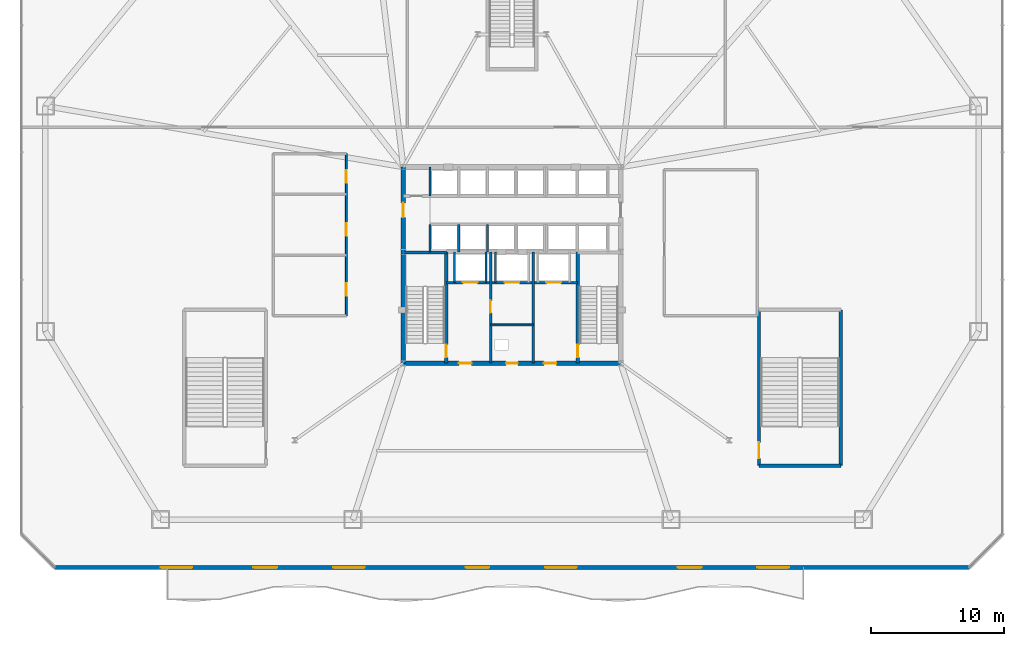
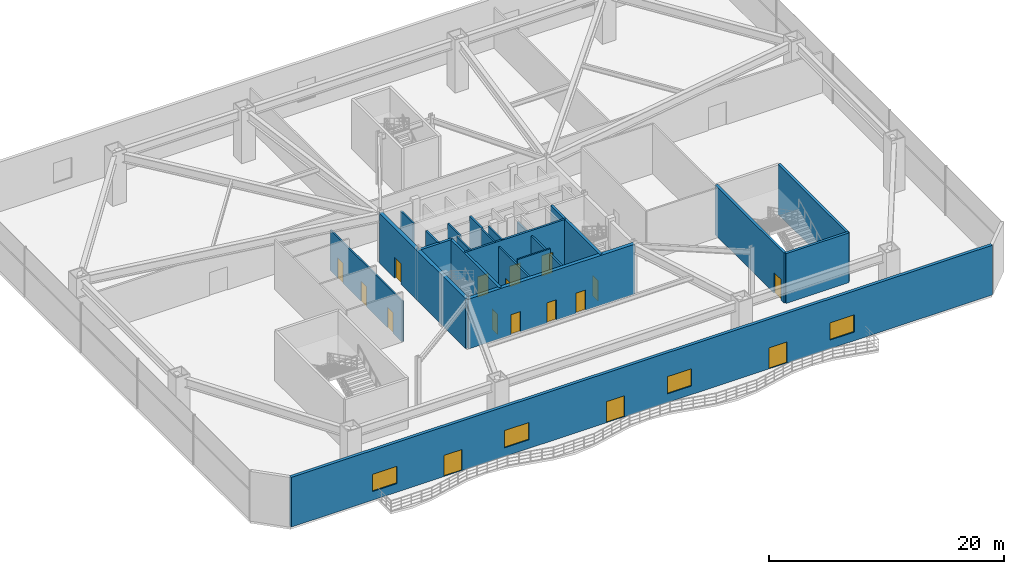
# One storey, part 13 of 20: 21 walls, 17 doors, 4 windows, 21 openings.
"""IFC4 building model written with IfcOpenShell, lengths in metres."""

from ifc_helpers import new_model, si_unit, direction, frame, frame_2d, origin, place, context, subcontext, project, spatial, rectangle, extrude, material, layer, layer_set, type_object, element, fill, save


model = new_model("IFC4")

# Units and contexts
model_context = context("Model", 3, precision=1e-05, world=origin(), true_north=direction((0.0, 1.0)))
body_context = subcontext(model_context, "Body", "Model", "MODEL_VIEW")
ifc_project = project(units=[si_unit("LENGTHUNIT", "METRE"), si_unit("AREAUNIT", "SQUARE_METRE"), si_unit("VOLUMEUNIT", "CUBIC_METRE"), si_unit("PLANEANGLEUNIT", "RADIAN"), si_unit("MASSUNIT", "GRAM", prefix="KILO")], contexts=[model_context])

# Site, building, storey
site_placement = place(None, origin())
site = spatial("IfcSite", under=ifc_project, at=site_placement, CompositionType="ELEMENT")
building_placement = place(site_placement, origin())
building = spatial("IfcBuilding", under=site, at=building_placement, Name="Varakhsha Concourse Tower", CompositionType="ELEMENT")
storey_placement = place(building_placement, frame((0.0, 0.0, 16.5)))
storey = spatial("IfcBuildingStorey", under=building, at=storey_placement, Name="L04", CompositionType="ELEMENT", Elevation=16.5)

# Wall, openings, doors
ifc_material_1 = material(Name="Concrete fc 65 MPa", Category="concrete")
ifc_layer_1 = layer(ifc_material_1, 0.35009765625, Name="WL-CORE-350")
ifc_layer_set_1 = layer_set([ifc_layer_1], Name="Concrete fc 65 MPa")
wall_type_1 = type_object("IfcWallType", Name="WL-CORE-350", PredefinedType="SHEAR", material=ifc_layer_set_1)
wall_1_placement = place(storey_placement, frame((31.800048828125, 16.39990234375, 0.0), z_axis=(0.0, 0.0, 1.0), x_axis=(1.0, 0.0, 0.0)))
wall_1 = element("IfcWall", 1, at=wall_1_placement, inside=storey, type_object=wall_type_1, Name="L04 Wall CWALL-S-L04", PredefinedType="SHEAR", context=body_context, shape_type="SweptSolid", body=[
    extrude(rectangle(XDim=16.39990234375, YDim=0.35009765625, at=frame_2d((8.199951171875, 0.0))), origin(), (0.0, 0.0, 1.0), 5.179931640625),
])
opening_1_placement = place(wall_1_placement, frame((7.75, 0.0, 0.0)))
opening_1 = element("IfcOpeningElement", 2, at=opening_1_placement, cuts=wall_1, Name="Opening DF-06", PredefinedType="OPENING", context=body_context, shape_type="SweptSolid", body=[
    extrude(rectangle(XDim=0.89990234375, YDim=2.10009765625, at=frame_2d((0.449951171875, 1.050048828125))), frame((0.0, 0.18505859375, 0.0), z_axis=(0.0, -1.0, 0.0), x_axis=(1.0, 0.0, 0.0)), (0.0, 0.0, 1.0), 0.3701171875),
])
opening_2_placement = place(wall_1_placement, frame((4.199951171875, 0.0, 0.0)))
opening_2 = element("IfcOpeningElement", 3, at=opening_2_placement, cuts=wall_1, Name="Opening DF-05", PredefinedType="OPENING", context=body_context, shape_type="SweptSolid", body=[
    extrude(rectangle(XDim=0.949951171875, YDim=2.10009765625, at=frame_2d((0.47509765625, 1.050048828125))), frame((0.0, 0.18505859375, 0.0), z_axis=(0.0, -1.0, 0.0), x_axis=(1.0, 0.0, 0.0)), (0.0, 0.0, 1.0), 0.3701171875),
])
opening_3_placement = place(wall_1_placement, frame((10.60009765625, 0.0, 0.0)))
opening_3 = element("IfcOpeningElement", 4, at=opening_3_placement, cuts=wall_1, Name="Opening DF-05", PredefinedType="OPENING", context=body_context, shape_type="SweptSolid", body=[
    extrude(rectangle(XDim=0.949951171875, YDim=2.10009765625, at=frame_2d((0.47509765625, 1.050048828125))), frame((0.0, 0.18505859375, 0.0), z_axis=(0.0, -1.0, 0.0), x_axis=(1.0, 0.0, 0.0)), (0.0, 0.0, 1.0), 0.3701171875),
])
ifc_material_2 = material(Name="Hollow Galvanised Steel Fire Door Assembly", Category="steel")
door_type_1 = type_object("IfcDoorType", Name="DR-FD60-900", OperationType="NOTDEFINED", PredefinedType="DOOR", material=ifc_material_2)
door_1_placement = place(opening_1_placement, origin())
door_1 = element("IfcDoor", 5, at=door_1_placement, inside=storey, type_object=door_type_1, Name="L04 Electrical Riser Access Door", OperationType="SINGLE_SWING_LEFT", OverallHeight=2.10009765625, OverallWidth=0.89990234375, PredefinedType="DOOR", context=body_context, shape_type="SweptSolid", body=[
    extrude(rectangle(XDim=0.89990234375, YDim=2.10009765625, at=frame_2d((0.449951171875, 1.050048828125))), frame((0.0, 0.02490234375, 0.0), z_axis=(0.0, -1.0, 0.0), x_axis=(1.0, 0.0, 0.0)), (0.0, 0.0, 1.0), 0.050048828125),
])
fill(opening_1, door_1)
door_type_2 = type_object("IfcDoorType", Name="DR-FD60-950", OperationType="NOTDEFINED", PredefinedType="DOOR", material=ifc_material_2)
door_2_placement = place(opening_2_placement, origin())
door_2 = element("IfcDoor", 6, at=door_2_placement, inside=storey, type_object=door_type_2, Name="L04 Firefighting Lobby West Door", OperationType="SINGLE_SWING_RIGHT", OverallHeight=2.10009765625, OverallWidth=0.949951171875, PredefinedType="DOOR", context=body_context, shape_type="SweptSolid", body=[
    extrude(rectangle(XDim=0.949951171875, YDim=2.10009765625, at=frame_2d((0.47509765625, 1.050048828125))), frame((0.0, 0.02490234375, 0.0), z_axis=(0.0, -1.0, 0.0), x_axis=(1.0, 0.0, 0.0)), (0.0, 0.0, 1.0), 0.050048828125),
])
fill(opening_2, door_2)
door_3_placement = place(opening_3_placement, origin())
door_3 = element("IfcDoor", 7, at=door_3_placement, inside=storey, type_object=door_type_2, Name="L04 Firefighting Lobby East Door", OperationType="SINGLE_SWING_LEFT", OverallHeight=2.10009765625, OverallWidth=0.949951171875, PredefinedType="DOOR", context=body_context, shape_type="SweptSolid", body=[
    extrude(rectangle(XDim=0.949951171875, YDim=2.10009765625, at=frame_2d((0.47509765625, 1.050048828125))), frame((0.0, 0.02490234375, 0.0), z_axis=(0.0, -1.0, 0.0), x_axis=(1.0, 0.0, 0.0)), (0.0, 0.0, 1.0), 0.050048828125),
])
fill(opening_3, door_3)

# Wall, opening, door
wall_2_placement = place(storey_placement, frame((31.800048828125, 16.39990234375, 0.0), z_axis=(0.0, 0.0, 1.0), x_axis=(0.0, 1.0, 0.0)))
wall_2 = element("IfcWall", 8, at=wall_2_placement, inside=storey, type_object=wall_type_1, Name="L04 Wall CWALL-W-L04", PredefinedType="SHEAR", context=body_context, shape_type="SweptSolid", body=[
    extrude(rectangle(XDim=14.800048828125, YDim=0.35009765625, at=frame_2d((7.39990234375, 0.0))), origin(), (0.0, 0.0, 1.0), 5.179931640625),
])
opening_4_placement = place(wall_2_placement, frame((11.0, 0.0, 0.0)))
opening_4 = element("IfcOpeningElement", 9, at=opening_4_placement, cuts=wall_2, Name="Opening DL-01", PredefinedType="OPENING", context=body_context, shape_type="SweptSolid", body=[
    extrude(rectangle(XDim=1.10009765625, YDim=2.14990234375, at=frame_2d((0.550048828125, 1.074951171875))), frame((0.0, 0.18505859375, 0.0), z_axis=(0.0, -1.0, 0.0), x_axis=(1.0, 0.0, 0.0)), (0.0, 0.0, 1.0), 0.3701171875),
])
ifc_material_3 = material(Name="Anodised Bronze Architectural Aluminium AA 6063-T6", Category="aluminium")
door_type_3 = type_object("IfcDoorType", Name="DR-LOB-1100", OperationType="NOTDEFINED", PredefinedType="DOOR", material=ifc_material_3)
door_4_placement = place(opening_4_placement, origin())
door_4 = element("IfcDoor", 10, at=door_4_placement, inside=storey, type_object=door_type_3, Name="L04 Lift Lobby West Concourse Door", OperationType="SINGLE_SWING_LEFT", OverallHeight=2.14990234375, OverallWidth=1.10009765625, PredefinedType="DOOR", context=body_context, shape_type="SweptSolid", body=[
    extrude(rectangle(XDim=1.10009765625, YDim=2.14990234375, at=frame_2d((0.550048828125, 1.074951171875))), frame((0.0, 0.02490234375, 0.0), z_axis=(0.0, -1.0, 0.0), x_axis=(1.0, 0.0, 0.0)), (0.0, 0.0, 1.0), 0.050048828125),
])
fill(opening_4, door_4)

# Wall, openings, doors, windows
ifc_material_4 = material(Name="Concrete fc 45 MPa", Category="concrete")
ifc_layer_2 = layer(ifc_material_4, 0.300048828125, Name="WL-EXT-POD-300")
ifc_layer_set_2 = layer_set([ifc_layer_2], Name="Concrete fc 45 MPa")
wall_type_2 = type_object("IfcWallType", Name="WL-EXT-POD-300", PredefinedType="STANDARD", material=ifc_layer_set_2)
wall_3_placement = place(storey_placement, frame((5.5, 1.0, 0.0), z_axis=(0.0, 0.0, 1.0), x_axis=(1.0, 0.0, 0.0)))
wall_3 = element("IfcWall", 11, at=wall_3_placement, inside=storey, type_object=wall_type_2, Name="L04 South Wave Terrace Wall", PredefinedType="STANDARD", context=body_context, shape_type="SweptSolid", body=[
    extrude(rectangle(XDim=69.0, YDim=0.300048828125, at=frame_2d((34.5, 0.0))), origin(), (0.0, 0.0, 1.0), 5.179931640625),
])
opening_5_placement = place(wall_3_placement, frame((15.0, 0.0, 0.0)))
opening_5 = element("IfcOpeningElement", 12, at=opening_5_placement, cuts=wall_3, Name="Opening DT-01", PredefinedType="OPENING", context=body_context, shape_type="SweptSolid", body=[
    extrude(rectangle(XDim=1.800048828125, YDim=2.199951171875, at=frame_2d((0.89990234375, 1.10009765625))), frame((0.0, 0.159912109375, 0.0), z_axis=(0.0, -1.0, 0.0), x_axis=(1.0, 0.0, 0.0)), (0.0, 0.0, 1.0), 0.320068359375),
])
opening_6_placement = place(wall_3_placement, frame((31.0, 0.0, 0.0)))
opening_6 = element("IfcOpeningElement", 13, at=opening_6_placement, cuts=wall_3, Name="Opening DT-01", PredefinedType="OPENING", context=body_context, shape_type="SweptSolid", body=[
    extrude(rectangle(XDim=1.800048828125, YDim=2.199951171875, at=frame_2d((0.89990234375, 1.10009765625))), frame((0.0, 0.159912109375, 0.0), z_axis=(0.0, -1.0, 0.0), x_axis=(1.0, 0.0, 0.0)), (0.0, 0.0, 1.0), 0.320068359375),
])
opening_7_placement = place(wall_3_placement, frame((47.0, 0.0, 0.0)))
opening_7 = element("IfcOpeningElement", 14, at=opening_7_placement, cuts=wall_3, Name="Opening DT-01", PredefinedType="OPENING", context=body_context, shape_type="SweptSolid", body=[
    extrude(rectangle(XDim=1.800048828125, YDim=2.199951171875, at=frame_2d((0.89990234375, 1.10009765625))), frame((0.0, 0.159912109375, 0.0), z_axis=(0.0, -1.0, 0.0), x_axis=(1.0, 0.0, 0.0)), (0.0, 0.0, 1.0), 0.320068359375),
])
opening_8_placement = place(wall_3_placement, frame((8.0, 0.0, 0.89990234375)))
opening_8 = element("IfcOpeningElement", 15, at=opening_8_placement, cuts=wall_3, Name="Opening W-02", PredefinedType="OPENING", context=body_context, shape_type="SweptSolid", body=[
    extrude(rectangle(XDim=2.39990234375, YDim=1.800048828125, at=frame_2d((1.199951171875, 0.89990234375))), frame((0.0, 0.159912109375, 0.0), z_axis=(0.0, -1.0, 0.0), x_axis=(1.0, 0.0, 0.0)), (0.0, 0.0, 1.0), 0.320068359375),
])
opening_9_placement = place(wall_3_placement, frame((21.0, 0.0, 0.89990234375)))
opening_9 = element("IfcOpeningElement", 16, at=opening_9_placement, cuts=wall_3, Name="Opening W-02", PredefinedType="OPENING", context=body_context, shape_type="SweptSolid", body=[
    extrude(rectangle(XDim=2.39990234375, YDim=1.800048828125, at=frame_2d((1.199951171875, 0.89990234375))), frame((0.0, 0.159912109375, 0.0), z_axis=(0.0, -1.0, 0.0), x_axis=(1.0, 0.0, 0.0)), (0.0, 0.0, 1.0), 0.320068359375),
])
opening_10_placement = place(wall_3_placement, frame((37.0, 0.0, 0.89990234375)))
opening_10 = element("IfcOpeningElement", 17, at=opening_10_placement, cuts=wall_3, Name="Opening W-02", PredefinedType="OPENING", context=body_context, shape_type="SweptSolid", body=[
    extrude(rectangle(XDim=2.39990234375, YDim=1.800048828125, at=frame_2d((1.199951171875, 0.89990234375))), frame((0.0, 0.159912109375, 0.0), z_axis=(0.0, -1.0, 0.0), x_axis=(1.0, 0.0, 0.0)), (0.0, 0.0, 1.0), 0.320068359375),
])
opening_11_placement = place(wall_3_placement, frame((53.0, 0.0, 0.89990234375)))
opening_11 = element("IfcOpeningElement", 18, at=opening_11_placement, cuts=wall_3, Name="Opening W-02", PredefinedType="OPENING", context=body_context, shape_type="SweptSolid", body=[
    extrude(rectangle(XDim=2.39990234375, YDim=1.800048828125, at=frame_2d((1.199951171875, 0.89990234375))), frame((0.0, 0.159912109375, 0.0), z_axis=(0.0, -1.0, 0.0), x_axis=(1.0, 0.0, 0.0)), (0.0, 0.0, 1.0), 0.320068359375),
])
door_type_4 = type_object("IfcDoorType", Name="DR-TERR-1800", OperationType="DOUBLE_DOOR_SINGLE_SWING", PredefinedType="DOOR", material=ifc_material_3)
door_5_placement = place(opening_5_placement, origin())
door_5 = element("IfcDoor", 19, at=door_5_placement, inside=storey, type_object=door_type_4, Name="L04 Wave Terrace Double Door 1", OperationType="SINGLE_SWING_LEFT", OverallHeight=2.199951171875, OverallWidth=1.800048828125, PredefinedType="DOOR", context=body_context, shape_type="SweptSolid", body=[
    extrude(rectangle(XDim=1.800048828125, YDim=2.199951171875, at=frame_2d((0.89990234375, 1.10009765625))), frame((0.0, 0.02490234375, 0.0), z_axis=(0.0, -1.0, 0.0), x_axis=(1.0, 0.0, 0.0)), (0.0, 0.0, 1.0), 0.050048828125),
])
fill(opening_5, door_5)
door_6_placement = place(opening_6_placement, origin())
door_6 = element("IfcDoor", 20, at=door_6_placement, inside=storey, type_object=door_type_4, Name="L04 Wave Terrace Double Door 2", OperationType="SINGLE_SWING_LEFT", OverallHeight=2.199951171875, OverallWidth=1.800048828125, PredefinedType="DOOR", context=body_context, shape_type="SweptSolid", body=[
    extrude(rectangle(XDim=1.800048828125, YDim=2.199951171875, at=frame_2d((0.89990234375, 1.10009765625))), frame((0.0, 0.02490234375, 0.0), z_axis=(0.0, -1.0, 0.0), x_axis=(1.0, 0.0, 0.0)), (0.0, 0.0, 1.0), 0.050048828125),
])
fill(opening_6, door_6)
door_7_placement = place(opening_7_placement, origin())
door_7 = element("IfcDoor", 21, at=door_7_placement, inside=storey, type_object=door_type_4, Name="L04 Wave Terrace Double Door 3", OperationType="SINGLE_SWING_LEFT", OverallHeight=2.199951171875, OverallWidth=1.800048828125, PredefinedType="DOOR", context=body_context, shape_type="SweptSolid", body=[
    extrude(rectangle(XDim=1.800048828125, YDim=2.199951171875, at=frame_2d((0.89990234375, 1.10009765625))), frame((0.0, 0.02490234375, 0.0), z_axis=(0.0, -1.0, 0.0), x_axis=(1.0, 0.0, 0.0)), (0.0, 0.0, 1.0), 0.050048828125),
])
fill(opening_7, door_7)
ifc_material_5 = material(Name="Low-E Triple Insulating Glass IGU 44 mm", Category="glass")
window_type = type_object("IfcWindowType", Name="WN-RIBBON-2400", PartitioningType="SINGLE_PANEL", PredefinedType="WINDOW", material=ifc_material_5)
window_1_placement = place(opening_8_placement, origin())
window_1 = element("IfcWindow", 22, at=window_1_placement, inside=storey, type_object=window_type, Name="L04 South Foyer Ribbon Window 1", OverallHeight=1.800048828125, OverallWidth=2.39990234375, PartitioningType="SINGLE_PANEL", PredefinedType="WINDOW", context=body_context, shape_type="SweptSolid", body=[
    extrude(rectangle(XDim=2.39990234375, YDim=1.800048828125, at=frame_2d((1.199951171875, 0.89990234375))), frame((0.0, 0.030029296875, 0.0), z_axis=(0.0, -1.0, 0.0), x_axis=(1.0, 0.0, 0.0)), (0.0, 0.0, 1.0), 0.06005859375),
])
fill(opening_8, window_1)
window_2_placement = place(opening_9_placement, origin())
window_2 = element("IfcWindow", 23, at=window_2_placement, inside=storey, type_object=window_type, Name="L04 South Foyer Ribbon Window 2", OverallHeight=1.800048828125, OverallWidth=2.39990234375, PartitioningType="SINGLE_PANEL", PredefinedType="WINDOW", context=body_context, shape_type="SweptSolid", body=[
    extrude(rectangle(XDim=2.39990234375, YDim=1.800048828125, at=frame_2d((1.199951171875, 0.89990234375))), frame((0.0, 0.030029296875, 0.0), z_axis=(0.0, -1.0, 0.0), x_axis=(1.0, 0.0, 0.0)), (0.0, 0.0, 1.0), 0.06005859375),
])
fill(opening_9, window_2)
window_3_placement = place(opening_10_placement, origin())
window_3 = element("IfcWindow", 24, at=window_3_placement, inside=storey, type_object=window_type, Name="L04 South Foyer Ribbon Window 3", OverallHeight=1.800048828125, OverallWidth=2.39990234375, PartitioningType="SINGLE_PANEL", PredefinedType="WINDOW", context=body_context, shape_type="SweptSolid", body=[
    extrude(rectangle(XDim=2.39990234375, YDim=1.800048828125, at=frame_2d((1.199951171875, 0.89990234375))), frame((0.0, 0.030029296875, 0.0), z_axis=(0.0, -1.0, 0.0), x_axis=(1.0, 0.0, 0.0)), (0.0, 0.0, 1.0), 0.06005859375),
])
fill(opening_10, window_3)
window_4_placement = place(opening_11_placement, origin())
window_4 = element("IfcWindow", 25, at=window_4_placement, inside=storey, type_object=window_type, Name="L04 South Foyer Ribbon Window 4", OverallHeight=1.800048828125, OverallWidth=2.39990234375, PartitioningType="SINGLE_PANEL", PredefinedType="WINDOW", context=body_context, shape_type="SweptSolid", body=[
    extrude(rectangle(XDim=2.39990234375, YDim=1.800048828125, at=frame_2d((1.199951171875, 0.89990234375))), frame((0.0, 0.030029296875, 0.0), z_axis=(0.0, -1.0, 0.0), x_axis=(1.0, 0.0, 0.0)), (0.0, 0.0, 1.0), 0.06005859375),
])
fill(opening_11, window_4)

# Wall, opening, door
ifc_material_6 = material(Name="Fire-Rated Type X Gypsum Partition Assembly", Category="gypsum")
ifc_layer_3 = layer(ifc_material_6, 0.179931640625, Name="WL-FFLOB-180")
ifc_layer_set_3 = layer_set([ifc_layer_3], Name="Fire-Rated Type X Gypsum Partition Assembly")
wall_type_3 = type_object("IfcWallType", Name="WL-FFLOB-180", PredefinedType="PARTITIONING", material=ifc_layer_set_3)
wall_4_placement = place(storey_placement, frame((38.389892578125, 16.39990234375, 0.0), z_axis=(0.0, 0.0, 1.0), x_axis=(0.0, 1.0, 0.0)))
wall_4 = element("IfcWall", 26, at=wall_4_placement, inside=storey, type_object=wall_type_3, Name="L04 Wall FFW-1E-L04", PredefinedType="PARTITIONING", context=body_context, shape_type="SweptSolid", body=[
    extrude(rectangle(XDim=8.400146484375, YDim=0.179931640625, at=frame_2d((4.2001953125, 0.0))), origin(), (0.0, 0.0, 1.0), 4.631103515625),
])
opening_12_placement = place(wall_4_placement, frame((3.800048828125, 0.0, 0.0)))
opening_12 = element("IfcOpeningElement", 27, at=opening_12_placement, cuts=wall_4, Name="Opening DF-05", PredefinedType="OPENING", context=body_context, shape_type="SweptSolid", body=[
    extrude(rectangle(XDim=0.949951171875, YDim=2.10009765625, at=frame_2d((0.47509765625, 1.050048828125))), frame((0.0, 0.099853515625, 0.0), z_axis=(0.0, -1.0, 0.0), x_axis=(1.0, 0.0, 0.0)), (0.0, 0.0, 1.0), 0.199951171875),
])
door_8_placement = place(opening_12_placement, origin())
door_8 = element("IfcDoor", 28, at=door_8_placement, inside=storey, type_object=door_type_2, Name="L04 Service Vestibule Door", OperationType="SINGLE_SWING_RIGHT", OverallHeight=2.10009765625, OverallWidth=0.949951171875, PredefinedType="DOOR", context=body_context, shape_type="SweptSolid", body=[
    extrude(rectangle(XDim=0.949951171875, YDim=2.10009765625, at=frame_2d((0.47509765625, 1.050048828125))), frame((0.0, 0.02490234375, 0.0), z_axis=(0.0, -1.0, 0.0), x_axis=(1.0, 0.0, 0.0)), (0.0, 0.0, 1.0), 0.050048828125),
])
fill(opening_12, door_8)

# Walls
wall_5_placement = place(storey_placement, frame((41.610107421875, 16.39990234375, 0.0), z_axis=(0.0, 0.0, 1.0), x_axis=(0.0, 1.0, 0.0)))
element("IfcWall", 29, at=wall_5_placement, inside=storey, type_object=wall_type_3, Name="L04 Wall FFW-2W-L04", PredefinedType="PARTITIONING", context=body_context, shape_type="SweptSolid", body=[
    extrude(rectangle(XDim=8.400146484375, YDim=0.179931640625, at=frame_2d((4.2001953125, 0.0))), origin(), (0.0, 0.0, 1.0), 4.631103515625),
])
ifc_layer_4 = layer(ifc_material_6, 0.14990234375, Name="WL-PART-150")
ifc_layer_set_4 = layer_set([ifc_layer_4], Name="Fire-Rated Type X Gypsum Partition Assembly")
wall_type_4 = type_object("IfcWallType", Name="WL-PART-150", PredefinedType="PARTITIONING", material=ifc_layer_set_4)
wall_6_placement = place(storey_placement, frame((38.389892578125, 19.300048828125, 0.0), z_axis=(0.0, 0.0, 1.0), x_axis=(1.0, 0.0, 0.0)))
element("IfcWall", 30, at=wall_6_placement, inside=storey, type_object=wall_type_4, Name="L04 Wall RSW-H-L04", PredefinedType="PARTITIONING", context=body_context, shape_type="SweptSolid", body=[
    extrude(rectangle(XDim=3.22021484375, YDim=0.14990234375, at=frame_2d((1.610107421875, 0.0))), origin(), (0.0, 0.0, 1.0), 5.179931640625),
])

# Wall, openings, doors
wall_7_placement = place(storey_placement, frame((27.5, 20.0, 0.0), z_axis=(0.0, 0.0, 1.0), x_axis=(0.0, 1.0, 0.0)))
wall_7 = element("IfcWall", 31, at=wall_7_placement, inside=storey, type_object=wall_type_4, Name="L04 Wall L04W-WCE", PredefinedType="PARTITIONING", context=body_context, shape_type="SweptSolid", body=[
    extrude(rectangle(XDim=12.199951171875, YDim=0.14990234375, at=frame_2d((6.10009765625, 0.0))), origin(), (0.0, 0.0, 1.0), 4.242919921875),
])
opening_13_placement = place(wall_7_placement, frame((1.5, 0.0, 0.0)))
opening_13 = element("IfcOpeningElement", 32, at=opening_13_placement, cuts=wall_7, Name="Opening DF-05", PredefinedType="OPENING", context=body_context, shape_type="SweptSolid", body=[
    extrude(rectangle(XDim=0.949951171875, YDim=2.10009765625, at=frame_2d((0.47509765625, 1.050048828125))), frame((0.0, 0.0849609375, 0.0), z_axis=(0.0, -1.0, 0.0), x_axis=(1.0, 0.0, 0.0)), (0.0, 0.0, 1.0), 0.169921875),
])
opening_14_placement = place(wall_7_placement, frame((6.0, 0.0, 0.0)))
opening_14 = element("IfcOpeningElement", 33, at=opening_14_placement, cuts=wall_7, Name="Opening DF-05", PredefinedType="OPENING", context=body_context, shape_type="SweptSolid", body=[
    extrude(rectangle(XDim=0.949951171875, YDim=2.10009765625, at=frame_2d((0.47509765625, 1.050048828125))), frame((0.0, 0.0849609375, 0.0), z_axis=(0.0, -1.0, 0.0), x_axis=(1.0, 0.0, 0.0)), (0.0, 0.0, 1.0), 0.169921875),
])
opening_15_placement = place(wall_7_placement, frame((10.0, 0.0, 0.0)))
opening_15 = element("IfcOpeningElement", 34, at=opening_15_placement, cuts=wall_7, Name="Opening DF-05", PredefinedType="OPENING", context=body_context, shape_type="SweptSolid", body=[
    extrude(rectangle(XDim=0.949951171875, YDim=2.10009765625, at=frame_2d((0.47509765625, 1.050048828125))), frame((0.0, 0.0849609375, 0.0), z_axis=(0.0, -1.0, 0.0), x_axis=(1.0, 0.0, 0.0)), (0.0, 0.0, 1.0), 0.169921875),
])
door_9_placement = place(opening_13_placement, origin())
door_9 = element("IfcDoor", 35, at=door_9_placement, inside=storey, type_object=door_type_2, Name="L04 Men Restroom WC Door", OperationType="SINGLE_SWING_LEFT", OverallHeight=2.10009765625, OverallWidth=0.949951171875, PredefinedType="DOOR", context=body_context, shape_type="SweptSolid", body=[
    extrude(rectangle(XDim=0.949951171875, YDim=2.10009765625, at=frame_2d((0.47509765625, 1.050048828125))), frame((0.0, 0.02490234375, 0.0), z_axis=(0.0, -1.0, 0.0), x_axis=(1.0, 0.0, 0.0)), (0.0, 0.0, 1.0), 0.050048828125),
])
fill(opening_13, door_9)
door_10_placement = place(opening_14_placement, origin())
door_10 = element("IfcDoor", 36, at=door_10_placement, inside=storey, type_object=door_type_2, Name="L04 Women Restroom WC Door", OperationType="SINGLE_SWING_LEFT", OverallHeight=2.10009765625, OverallWidth=0.949951171875, PredefinedType="DOOR", context=body_context, shape_type="SweptSolid", body=[
    extrude(rectangle(XDim=0.949951171875, YDim=2.10009765625, at=frame_2d((0.47509765625, 1.050048828125))), frame((0.0, 0.02490234375, 0.0), z_axis=(0.0, -1.0, 0.0), x_axis=(1.0, 0.0, 0.0)), (0.0, 0.0, 1.0), 0.050048828125),
])
fill(opening_14, door_10)
door_11_placement = place(opening_15_placement, origin())
door_11 = element("IfcDoor", 37, at=door_11_placement, inside=storey, type_object=door_type_2, Name="L04 Accessible WC Door", OperationType="SINGLE_SWING_LEFT", OverallHeight=2.10009765625, OverallWidth=0.949951171875, PredefinedType="DOOR", context=body_context, shape_type="SweptSolid", body=[
    extrude(rectangle(XDim=0.949951171875, YDim=2.10009765625, at=frame_2d((0.47509765625, 1.050048828125))), frame((0.0, 0.02490234375, 0.0), z_axis=(0.0, -1.0, 0.0), x_axis=(1.0, 0.0, 0.0)), (0.0, 0.0, 1.0), 0.050048828125),
])
fill(opening_15, door_11)

ifc_layer_5 = layer(ifc_material_6, 0.199951171875, Name="WL-SHAFT-220")
ifc_layer_set_5 = layer_set([ifc_layer_5], Name="Fire-Rated Type X Gypsum Partition Assembly")
wall_type_5 = type_object("IfcWallType", Name="WL-SHAFT-220", PredefinedType="SOLIDWALL", material=ifc_layer_set_5)
wall_8_placement = place(storey_placement, frame((35.044921875, 22.47998046875, 0.0), z_axis=(0.0, 0.0, 1.0), x_axis=(1.0, 0.0, 0.0)))
wall_8 = element("IfcWall", 38, at=wall_8_placement, inside=storey, type_object=wall_type_5, Name="L04 Wall FFW-NH-L04", PredefinedType="SOLIDWALL", context=body_context, shape_type="SweptSolid", body=[
    extrude(rectangle(XDim=9.91015625, YDim=0.199951171875, at=frame_2d((4.955078125, 0.0))), origin(), (0.0, 0.0, 1.0), 5.179931640625),
])
opening_16_placement = place(wall_8_placement, frame((1.2548828125, 0.0, 0.0)))
opening_16 = element("IfcOpeningElement", 39, at=opening_16_placement, cuts=wall_8, Name="Opening LD-FFL-1", PredefinedType="OPENING", context=body_context, shape_type="SweptSolid", body=[
    extrude(rectangle(XDim=1.10009765625, YDim=2.14990234375, at=frame_2d((0.550048828125, 1.074951171875))), frame((0.0, 0.10986328125, 0.0), z_axis=(0.0, -1.0, 0.0), x_axis=(1.0, 0.0, 0.0)), (0.0, 0.0, 1.0), 0.219970703125),
])
opening_17_placement = place(wall_8_placement, frame((7.554931640625, 0.0, 0.0)))
opening_17 = element("IfcOpeningElement", 40, at=opening_17_placement, cuts=wall_8, Name="Opening LD-FFL-2", PredefinedType="OPENING", context=body_context, shape_type="SweptSolid", body=[
    extrude(rectangle(XDim=1.10009765625, YDim=2.14990234375, at=frame_2d((0.550048828125, 1.074951171875))), frame((0.0, 0.10986328125, 0.0), z_axis=(0.0, -1.0, 0.0), x_axis=(1.0, 0.0, 0.0)), (0.0, 0.0, 1.0), 0.219970703125),
])
opening_18_placement = place(wall_8_placement, frame((4.405029296875, 0.0, 0.0)))
opening_18 = element("IfcOpeningElement", 41, at=opening_18_placement, cuts=wall_8, Name="Opening LD-SVL-1", PredefinedType="OPENING", context=body_context, shape_type="SweptSolid", body=[
    extrude(rectangle(XDim=1.10009765625, YDim=2.14990234375, at=frame_2d((0.550048828125, 1.074951171875))), frame((0.0, 0.10986328125, 0.0), z_axis=(0.0, -1.0, 0.0), x_axis=(1.0, 0.0, 0.0)), (0.0, 0.0, 1.0), 0.219970703125),
])
ifc_material_7 = material(Name="Brushed Austenitic Stainless Steel AISI 316", Category="steel")
door_type_5 = type_object("IfcDoorType", Name="DR-LD-1100", OperationType="DOUBLE_DOOR_SLIDING", PredefinedType="DOOR", material=ifc_material_7)
door_12_placement = place(opening_16_placement, origin())
door_12 = element("IfcDoor", 42, at=door_12_placement, inside=storey, type_object=door_type_5, Name="Lift Landing Door FFL-1 L04", OperationType="DOUBLE_DOOR_SLIDING", OverallHeight=2.14990234375, OverallWidth=1.10009765625, PredefinedType="DOOR", context=body_context, shape_type="SweptSolid", body=[
    extrude(rectangle(XDim=1.10009765625, YDim=2.14990234375, at=frame_2d((0.550048828125, 1.074951171875))), frame((0.0, 0.02490234375, 0.0), z_axis=(0.0, -1.0, 0.0), x_axis=(1.0, 0.0, 0.0)), (0.0, 0.0, 1.0), 0.050048828125),
])
fill(opening_16, door_12)
door_13_placement = place(opening_17_placement, origin())
door_13 = element("IfcDoor", 43, at=door_13_placement, inside=storey, type_object=door_type_5, Name="Lift Landing Door FFL-2 L04", OperationType="DOUBLE_DOOR_SLIDING", OverallHeight=2.14990234375, OverallWidth=1.10009765625, PredefinedType="DOOR", context=body_context, shape_type="SweptSolid", body=[
    extrude(rectangle(XDim=1.10009765625, YDim=2.14990234375, at=frame_2d((0.550048828125, 1.074951171875))), frame((0.0, 0.02490234375, 0.0), z_axis=(0.0, -1.0, 0.0), x_axis=(1.0, 0.0, 0.0)), (0.0, 0.0, 1.0), 0.050048828125),
])
fill(opening_17, door_13)
door_14_placement = place(opening_18_placement, origin())
door_14 = element("IfcDoor", 44, at=door_14_placement, inside=storey, type_object=door_type_5, Name="Lift Landing Door SVL-1 L04", OperationType="DOUBLE_DOOR_SLIDING", OverallHeight=2.14990234375, OverallWidth=1.10009765625, PredefinedType="DOOR", context=body_context, shape_type="SweptSolid", body=[
    extrude(rectangle(XDim=1.10009765625, YDim=2.14990234375, at=frame_2d((0.550048828125, 1.074951171875))), frame((0.0, 0.02490234375, 0.0), z_axis=(0.0, -1.0, 0.0), x_axis=(1.0, 0.0, 0.0)), (0.0, 0.0, 1.0), 0.050048828125),
])
fill(opening_18, door_14)

# Walls
for number, where, z_axis, x_axis, name in (
    (45, (35.64990234375, 22.47998046875, 0.0), (0.0, 0.0, 1.0), (0.0, 1.0, 0.0), "L04 Wall SHW-FFL-1-W-L04"),
    (46, (38.050048828125, 22.47998046875, 0.0), (0.0, 0.0, 1.0), (0.0, 1.0, 0.0), "L04 Wall SHW-FFL-1-E-L04"),
    (47, (38.75, 22.47998046875, 0.0), (0.0, 0.0, 1.0), (0.0, 1.0, 0.0), "L04 Wall SHW-SVL-1-W-L04"),
):
    element("IfcWall", number, at=place(storey_placement, frame(where, z_axis=z_axis, x_axis=x_axis)), inside=storey, type_object=wall_type_5, Name=name, PredefinedType="SOLIDWALL", context=body_context, shape_type="SweptSolid", body=[
        extrude(rectangle(XDim=2.320068359375, YDim=0.159912109375, at=frame_2d((1.16015625, 0.0))), origin(), (0.0, 0.0, 1.0), 5.179931640625),
    ])
wall_9_placement = place(storey_placement, frame((33.820068359375, 29.02001953125, 0.0), z_axis=(0.0, 0.0, 1.0), x_axis=(0.0, 1.0, 0.0)))
element("IfcWall", 48, at=wall_9_placement, inside=storey, type_object=wall_type_5, Name="L04 Wall WBOH-E1-L04", PredefinedType="SOLIDWALL", context=body_context, shape_type="SweptSolid", body=[
    extrude(rectangle(XDim=2.179931640625, YDim=0.159912109375, at=frame_2d((1.08984375, 0.0))), origin(), (0.0, 0.0, 1.0), 4.631103515625),
])
for number, where, z_axis, x_axis, name in (
    (49, (33.820068359375, 24.800048828125, 0.0), (0.0, 0.0, 1.0), (0.0, 1.0, 0.0), "L04 Wall WBOH-E2-L04"),
    (50, (35.97998046875, 24.800048828125, 0.0), (0.0, 0.0, 1.0), (0.0, 1.0, 0.0), "L04 Wall SHW-LF-P05-E-L04"),
    (51, (38.139892578125, 24.800048828125, 0.0), (0.0, 0.0, 1.0), (0.0, 1.0, 0.0), "L04 Wall SHW-LF-P06-E-L04"),
):
    element("IfcWall", number, at=place(storey_placement, frame(where, z_axis=z_axis, x_axis=x_axis)), inside=storey, type_object=wall_type_5, Name=name, PredefinedType="SOLIDWALL", context=body_context, shape_type="SweptSolid", body=[
        extrude(rectangle(XDim=2.079833984375, YDim=0.159912109375, at=frame_2d((1.0400390625, 0.0))), origin(), (0.0, 0.0, 1.0), 5.179931640625),
    ])

# Wall, opening, door
ifc_layer_6 = layer(ifc_material_4, 0.25, Name="WL-STAIR-250")
ifc_layer_set_6 = layer_set([ifc_layer_6], Name="Concrete fc 45 MPa")
wall_type_6 = type_object("IfcWallType", Name="WL-STAIR-250", PredefinedType="SHEAR", material=ifc_layer_set_6)
wall_10_placement = place(storey_placement, frame((35.044921875, 16.39990234375, 0.0), z_axis=(0.0, 0.0, 1.0), x_axis=(0.0, 1.0, 0.0)))
wall_10 = element("IfcWall", 52, at=wall_10_placement, inside=storey, type_object=wall_type_6, Name="L04 Wall SWALL-ST1-E-L04", PredefinedType="SHEAR", context=body_context, shape_type="SweptSolid", body=[
    extrude(rectangle(XDim=8.400146484375, YDim=0.25, at=frame_2d((4.2001953125, 0.0))), origin(), (0.0, 0.0, 1.0), 5.179931640625),
])
opening_19_placement = place(wall_10_placement, frame((0.449951171875, 0.0, 0.0)))
opening_19 = element("IfcOpeningElement", 53, at=opening_19_placement, cuts=wall_10, Name="Opening DF-03", PredefinedType="OPENING", context=body_context, shape_type="SweptSolid", body=[
    extrude(rectangle(XDim=0.949951171875, YDim=2.10009765625, at=frame_2d((0.47509765625, 1.050048828125))), frame((0.0, 0.135009765625, 0.0), z_axis=(0.0, -1.0, 0.0), x_axis=(1.0, 0.0, 0.0)), (0.0, 0.0, 1.0), 0.27001953125),
])
door_type_6 = type_object("IfcDoorType", Name="DR-FD90-950", OperationType="NOTDEFINED", PredefinedType="DOOR", material=ifc_material_2)
door_15_placement = place(opening_19_placement, origin())
door_15 = element("IfcDoor", 54, at=door_15_placement, inside=storey, type_object=door_type_6, Name="L04 Stair ST1 Fire Door", OperationType="SINGLE_SWING_LEFT", OverallHeight=2.10009765625, OverallWidth=0.949951171875, PredefinedType="DOOR", context=body_context, shape_type="SweptSolid", body=[
    extrude(rectangle(XDim=0.949951171875, YDim=2.10009765625, at=frame_2d((0.47509765625, 1.050048828125))), frame((0.0, 0.02490234375, 0.0), z_axis=(0.0, -1.0, 0.0), x_axis=(1.0, 0.0, 0.0)), (0.0, 0.0, 1.0), 0.050048828125),
])
fill(opening_19, door_15)

# Wall
wall_11_placement = place(storey_placement, frame((31.800048828125, 24.7548828125, 0.0), z_axis=(0.0, 0.0, 1.0), x_axis=(1.0, 0.0, 0.0)))
element("IfcWall", 55, at=wall_11_placement, inside=storey, type_object=wall_type_6, Name="L04 Wall SWALL-ST1-N-L04", PredefinedType="SHEAR", context=body_context, shape_type="SweptSolid", body=[
    extrude(rectangle(XDim=3.244873046875, YDim=0.25, at=frame_2d((1.62255859375, 0.0))), origin(), (0.0, 0.0, 1.0), 5.179931640625),
])

# Wall, opening, door
wall_12_placement = place(storey_placement, frame((44.955078125, 16.39990234375, 0.0), z_axis=(0.0, 0.0, 1.0), x_axis=(0.0, 1.0, 0.0)))
wall_12 = element("IfcWall", 56, at=wall_12_placement, inside=storey, type_object=wall_type_6, Name="L04 Wall SWALL-ST2-W-L04", PredefinedType="SHEAR", context=body_context, shape_type="SweptSolid", body=[
    extrude(rectangle(XDim=8.400146484375, YDim=0.25, at=frame_2d((4.2001953125, 0.0))), origin(), (0.0, 0.0, 1.0), 5.179931640625),
])
opening_20_placement = place(wall_12_placement, frame((0.449951171875, 0.0, 0.0)))
opening_20 = element("IfcOpeningElement", 57, at=opening_20_placement, cuts=wall_12, Name="Opening DF-03", PredefinedType="OPENING", context=body_context, shape_type="SweptSolid", body=[
    extrude(rectangle(XDim=0.949951171875, YDim=2.10009765625, at=frame_2d((0.47509765625, 1.050048828125))), frame((0.0, 0.135009765625, 0.0), z_axis=(0.0, -1.0, 0.0), x_axis=(1.0, 0.0, 0.0)), (0.0, 0.0, 1.0), 0.27001953125),
])
door_16_placement = place(opening_20_placement, origin())
door_16 = element("IfcDoor", 58, at=door_16_placement, inside=storey, type_object=door_type_6, Name="L04 Stair ST2 Fire Door", OperationType="SINGLE_SWING_RIGHT", OverallHeight=2.10009765625, OverallWidth=0.949951171875, PredefinedType="DOOR", context=body_context, shape_type="SweptSolid", body=[
    extrude(rectangle(XDim=0.949951171875, YDim=2.10009765625, at=frame_2d((0.47509765625, 1.050048828125))), frame((0.0, 0.02490234375, 0.0), z_axis=(0.0, -1.0, 0.0), x_axis=(1.0, 0.0, 0.0)), (0.0, 0.0, 1.0), 0.050048828125),
])
fill(opening_20, door_16)

# Wall
wall_13_placement = place(storey_placement, frame((58.635009765625, 8.675048828125, 0.0), z_axis=(0.0, 0.0, 1.0), x_axis=(1.0, 0.0, 0.0)))
element("IfcWall", 59, at=wall_13_placement, inside=storey, type_object=wall_type_6, Name="L04 Wall ST4W-S-L04", PredefinedType="SHEAR", context=body_context, shape_type="SweptSolid", body=[
    extrude(rectangle(XDim=6.169921875, YDim=0.25, at=frame_2d((3.0849609375, 0.0))), origin(), (0.0, 0.0, 1.0), 5.179931640625),
])

# Wall, opening, door
wall_14_placement = place(storey_placement, frame((58.635009765625, 8.675048828125, 0.0), z_axis=(0.0, 0.0, 1.0), x_axis=(0.0, 1.0, 0.0)))
wall_14 = element("IfcWall", 60, at=wall_14_placement, inside=storey, type_object=wall_type_6, Name="L04 Wall ST4W-W-L04", PredefinedType="SHEAR", context=body_context, shape_type="SweptSolid", body=[
    extrude(rectangle(XDim=11.75, YDim=0.25, at=frame_2d((5.875, 0.0))), origin(), (0.0, 0.0, 1.0), 5.179931640625),
])
opening_21_placement = place(wall_14_placement, frame((0.550048828125, 0.0, 0.0)))
opening_21 = element("IfcOpeningElement", 61, at=opening_21_placement, cuts=wall_14, Name="Opening DF-01", PredefinedType="OPENING", context=body_context, shape_type="SweptSolid", body=[
    extrude(rectangle(XDim=1.199951171875, YDim=2.14990234375, at=frame_2d((0.60009765625, 1.074951171875))), frame((0.0, 0.135009765625, 0.0), z_axis=(0.0, -1.0, 0.0), x_axis=(1.0, 0.0, 0.0)), (0.0, 0.0, 1.0), 0.27001953125),
])
door_type_7 = type_object("IfcDoorType", Name="DR-FD90-1200", OperationType="NOTDEFINED", PredefinedType="DOOR", material=ifc_material_2)
door_17_placement = place(opening_21_placement, origin())
door_17 = element("IfcDoor", 62, at=door_17_placement, inside=storey, type_object=door_type_7, Name="L04 Stair ST4 Door", OperationType="SINGLE_SWING_RIGHT", OverallHeight=2.14990234375, OverallWidth=1.199951171875, PredefinedType="DOOR", context=body_context, shape_type="SweptSolid", body=[
    extrude(rectangle(XDim=1.199951171875, YDim=2.14990234375, at=frame_2d((0.60009765625, 1.074951171875))), frame((0.0, 0.02490234375, 0.0), z_axis=(0.0, -1.0, 0.0), x_axis=(1.0, 0.0, 0.0)), (0.0, 0.0, 1.0), 0.050048828125),
])
fill(opening_21, door_17)

# Wall
wall_15_placement = place(storey_placement, frame((64.804931640625, 8.675048828125, 0.0), z_axis=(0.0, 0.0, 1.0), x_axis=(0.0, 1.0, 0.0)))
element("IfcWall", 63, at=wall_15_placement, inside=storey, type_object=wall_type_6, Name="L04 Wall ST4W-E-L04", PredefinedType="SHEAR", context=body_context, shape_type="SweptSolid", body=[
    extrude(rectangle(XDim=11.75, YDim=0.25, at=frame_2d((5.875, 0.0))), origin(), (0.0, 0.0, 1.0), 5.179931640625),
])

save(model, "model.ifc")
